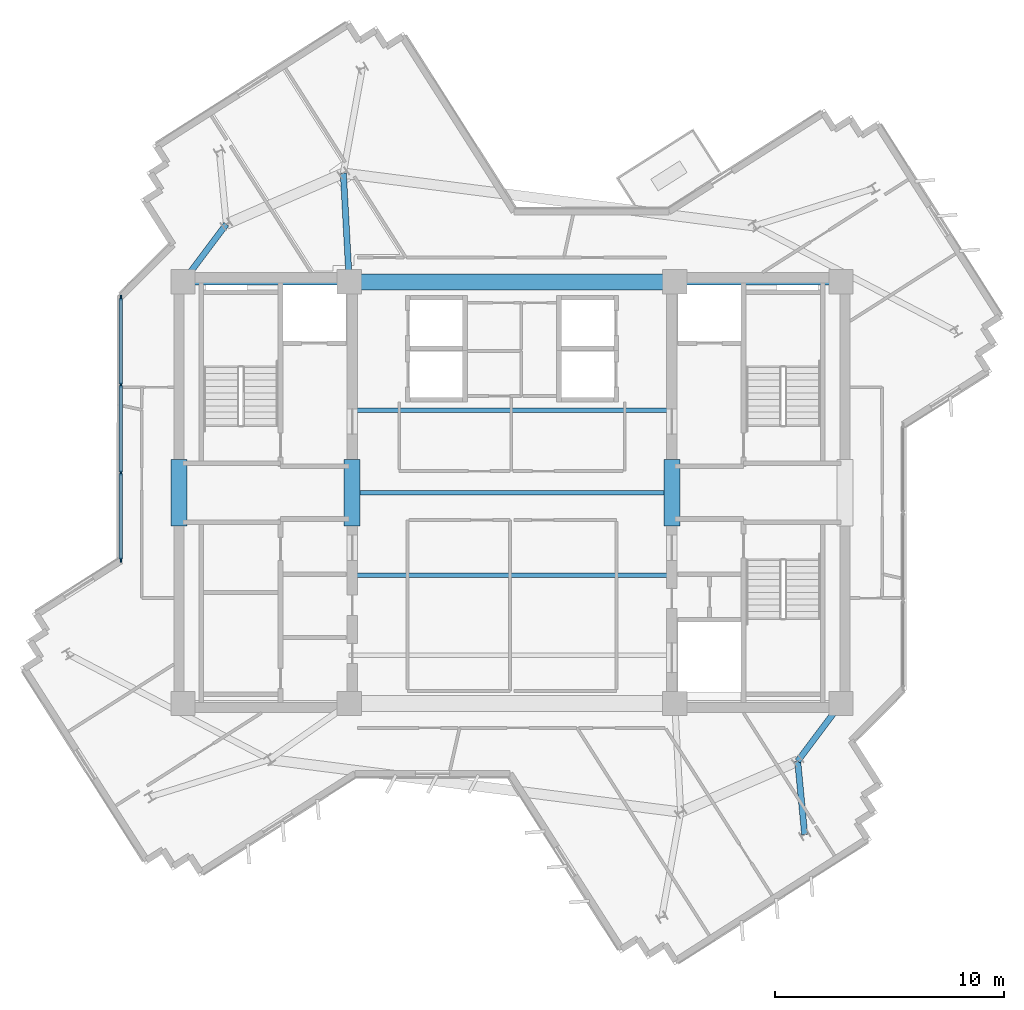
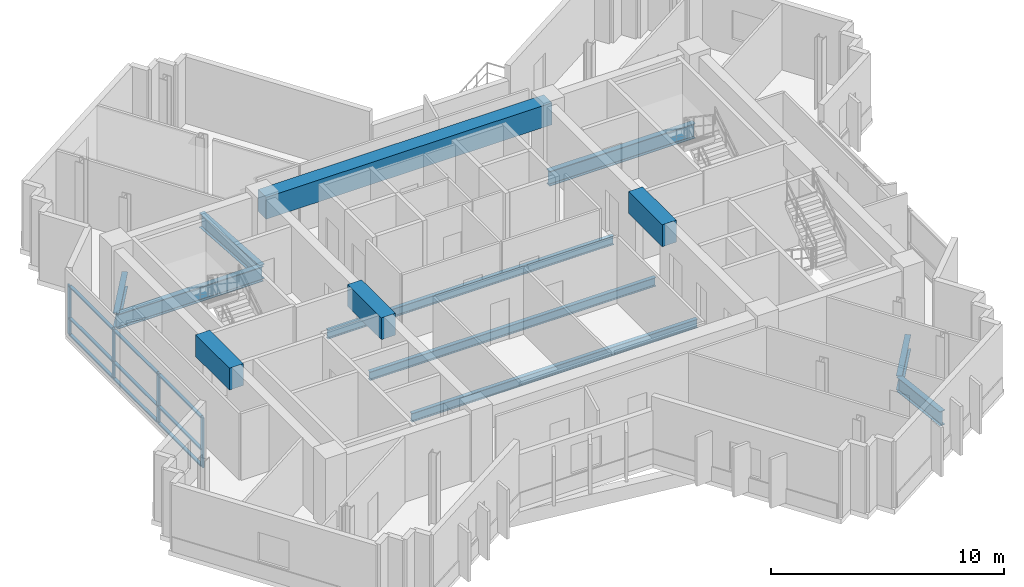
# One storey, part 2 of 12: 13 beams, 13 members, 1 element without a shape of its own.
"""IFC4 building model written with IfcOpenShell, lengths in metres."""

from ifc_helpers import new_model, si_unit, direction, frame, origin, origin_2d, place, context, subcontext, project, spatial, rectangle, i_section, extrude, source, transform, mapped, material, layer, layer_set, material_profile, profile_set, type_object, element, aggregate, save


model = new_model("IFC4")

# Units and contexts
model_context = context("Model", 3, precision=1e-05, world=origin(), true_north=direction((0.0, 1.0)))
body_context = subcontext(model_context, "Body", "Model", "MODEL_VIEW")
ifc_project = project(units=[si_unit("LENGTHUNIT", "METRE"), si_unit("AREAUNIT", "SQUARE_METRE"), si_unit("VOLUMEUNIT", "CUBIC_METRE"), si_unit("PLANEANGLEUNIT", "RADIAN"), si_unit("MASSUNIT", "GRAM", prefix="KILO")], contexts=[model_context])

# Site, building, storey
site_placement = place(None, origin())
site = spatial("IfcSite", under=ifc_project, at=site_placement, CompositionType="ELEMENT")
building_placement = place(site_placement, origin())
building = spatial("IfcBuilding", under=site, at=building_placement, Name="Zahravan Cultural Tower", CompositionType="ELEMENT")
storey_placement = place(building_placement, frame((0.0, 0.0, 265.35009765625)))
storey = spatial("IfcBuildingStorey", under=building, at=storey_placement, Name="L63", CompositionType="ELEMENT", Elevation=265.35009765625)

# Beams
ifc_material_1 = material(Name="Concrete C50/60", Category="concrete")
ifc_material_profile_1 = material_profile(ifc_material_1, rectangle(XDim=0.699951171875, YDim=1.14990234375, at=origin_2d()), Name="RC700X1150")
ifc_profile_set_1 = profile_set([ifc_material_profile_1], Name="Concrete C50/60")
beam_type_1 = type_object("IfcBeamType", Name="BM-LN-RC700X1150", PredefinedType="LINTEL", material=ifc_profile_set_1)
shared_shape_1 = source(origin(), body_context, "Body", "SweptSolid", [
    extrude(rectangle(XDim=0.699951171875, YDim=1.14990234375, at=origin_2d()), origin(), (0.0, 0.0, 1.0), 14.2001953125),
])
beam_1_placement = place(storey_placement, frame((28.89990234375, 36.199951171875, 2.9248046875), z_axis=(1.0, 0.0, 0.0), x_axis=(0.0, 1.0, 0.0)))
element("IfcBeam", 1, at=beam_1_placement, inside=storey, type_object=beam_type_1, Name="L63 Beam LN-L63-N", PredefinedType="LINTEL", context=body_context, shape_type="MappedRepresentation", body=[
    mapped(shared_shape_1, transform((0.0, 0.0, 0.0), x_axis=(1.0, 0.0, 0.0), y_axis=(0.0, 1.0, 0.0), z_axis=(0.0, 0.0, 1.0), scale=1.0)),
])
shared_shape_2 = source(origin(), body_context, "Body", "SweptSolid", [
    extrude(rectangle(XDim=0.699951171875, YDim=1.14990234375, at=origin_2d()), origin(), (0.0, 0.0, 1.0), 2.89990234375),
])
for number, where, z_axis, x_axis, name in (
    (2, (21.47509765625, 25.550048828125, 2.9248046875), (0.0, 1.0, 0.0), (-1.0, 0.0, 0.0), "L63 Beam LN-L63-PWW"),
    (3, (29.02490234375, 25.550048828125, 2.9248046875), (0.0, 1.0, 0.0), (-1.0, 0.0, 0.0), "L63 Beam LN-L63-PWE"),
    (4, (42.97509765625, 25.550048828125, 2.9248046875), (0.0, 1.0, 0.0), (-1.0, 0.0, 0.0), "L63 Beam LN-L63-PEW"),
):
    element("IfcBeam", number, at=place(storey_placement, frame(where, z_axis=z_axis, x_axis=x_axis)), inside=storey, type_object=beam_type_1, Name=name, PredefinedType="LINTEL", context=body_context, shape_type="MappedRepresentation", body=[
        mapped(shared_shape_2, transform((0.0, 0.0, 0.0), x_axis=(1.0, 0.0, 0.0), y_axis=(0.0, 1.0, 0.0), z_axis=(0.0, 0.0, 1.0), scale=1.0)),
    ])
ifc_material_2 = material(Name="Steel ASTM A992 Grade 50", Category="steel")
ifc_material_profile_2 = material_profile(ifc_material_2, i_section(OverallWidth=0.26611328125, OverallDepth=0.780029296875, WebThickness=0.0166015625, FlangeThickness=0.030029296875, FilletRadius=0.01904296875, at=origin_2d()), Name="W30X148")
ifc_profile_set_2 = profile_set([ifc_material_profile_2], Name="Steel ASTM A992 Grade 50")
beam_type_2 = type_object("IfcBeamType", Name="BM-G-W30X148", PredefinedType="BEAM", material=ifc_profile_set_2)
shared_shape_3 = source(origin(), body_context, "Body", "SweptSolid", [
    extrude(i_section(OverallWidth=0.26611328125, OverallDepth=0.780029296875, WebThickness=0.0166015625, FlangeThickness=0.030029296875, FilletRadius=0.01904296875, at=origin_2d()), origin(), (0.0, 0.0, 1.0), 7.25),
])
for number, where, z_axis, x_axis, name in (
    (5, (21.64990234375, 36.199951171875, -0.64013671875), (1.0, 0.0, 0.0), (0.0, 1.0, 0.0), "L63 Beam BG-L63-02"),
    (6, (43.10009765625, 36.199951171875, -0.64013671875), (1.0, 0.0, 0.0), (0.0, 1.0, 0.0), "L63 Beam BG-L63-05"),
):
    element("IfcBeam", number, at=place(storey_placement, frame(where, z_axis=z_axis, x_axis=x_axis)), inside=storey, type_object=beam_type_2, Name=name, PredefinedType="BEAM", context=body_context, shape_type="MappedRepresentation", body=[
        mapped(shared_shape_3, transform((0.0, 0.0, 0.0), x_axis=(1.0, 0.0, 0.0), y_axis=(0.0, 1.0, 0.0), z_axis=(0.0, 0.0, 1.0), scale=1.0)),
    ])
ifc_material_profile_3 = material_profile(ifc_material_2, i_section(OverallWidth=0.26708984375, OverallDepth=0.761962890625, WebThickness=0.014404296875, FlangeThickness=0.021484375, FilletRadius=0.01904296875, at=origin_2d()), Name="W30X116")
ifc_profile_set_3 = profile_set([ifc_material_profile_3], Name="Steel ASTM A992 Grade 50")
beam_type_3 = type_object("IfcBeamType", Name="BM-G-W30X116", PredefinedType="BEAM", material=ifc_profile_set_3)
shared_shape_4 = source(origin(), body_context, "Body", "SweptSolid", [
    extrude(i_section(OverallWidth=0.26708984375, OverallDepth=0.761962890625, WebThickness=0.014404296875, FlangeThickness=0.021484375, FilletRadius=0.01904296875, at=origin_2d()), origin(), (0.0, 0.0, 1.0), 4.744384765625),
])
beam_2_placement = place(storey_placement, frame((28.89990234375, 36.199951171875, -0.631103515625), z_axis=(-0.054238739845, 0.998527996152, 0.0), x_axis=(-0.998527996152, -0.054238739845, 0.0)))
element("IfcBeam", 7, at=beam_2_placement, inside=storey, type_object=beam_type_3, Name="L63 Beam BG-L63-10", PredefinedType="BEAM", context=body_context, shape_type="MappedRepresentation", body=[
    mapped(shared_shape_4, transform((0.0, 0.0, 0.0), x_axis=(1.0, 0.0, 0.0), y_axis=(0.0, 1.0, 0.0), z_axis=(0.0, 0.0, 1.0), scale=1.0)),
])
shared_shape_5 = source(origin(), body_context, "Body", "SweptSolid", [
    extrude(i_section(OverallWidth=0.26708984375, OverallDepth=0.761962890625, WebThickness=0.014404296875, FlangeThickness=0.021484375, FilletRadius=0.01904296875, at=origin_2d()), origin(), (0.0, 0.0, 1.0), 3.140380859375),
])
for number, where, z_axis, x_axis, name in (
    (8, (50.35009765625, 17.800048828125, -0.631103515625), (-0.600696322208, -0.799477284534, 0.0), (0.799477284534, -0.600696322208, 0.0), "L63 Beam BG-L63-09"),
    (9, (21.64990234375, 36.199951171875, -0.631103515625), (0.600696322208, 0.799477284534, 0.0), (-0.799477284534, 0.600696322208, 0.0), "L63 Beam BG-L63-11"),
):
    element("IfcBeam", number, at=place(storey_placement, frame(where, z_axis=z_axis, x_axis=x_axis)), inside=storey, type_object=beam_type_3, Name=name, PredefinedType="BEAM", context=body_context, shape_type="MappedRepresentation", body=[
        mapped(shared_shape_5, transform((0.0, 0.0, 0.0), x_axis=(1.0, 0.0, 0.0), y_axis=(0.0, 1.0, 0.0), z_axis=(0.0, 0.0, 1.0), scale=1.0)),
    ])
shared_shape_6 = source(origin(), body_context, "Body", "SweptSolid", [
    extrude(i_section(OverallWidth=0.26708984375, OverallDepth=0.761962890625, WebThickness=0.014404296875, FlangeThickness=0.021484375, FilletRadius=0.01904296875, at=origin_2d()), origin(), (0.0, 0.0, 1.0), 3.218017578125),
])
beam_3_placement = place(storey_placement, frame((48.463623046875, 15.289306640625, -0.631103515625), z_axis=(0.094454641962, -0.995529166128, 0.0), x_axis=(0.995529166128, 0.094454641962, 0.0)))
element("IfcBeam", 10, at=beam_3_placement, inside=storey, type_object=beam_type_3, Name="L63 Beam BG-L63-19", PredefinedType="BEAM", context=body_context, shape_type="MappedRepresentation", body=[
    mapped(shared_shape_6, transform((0.0, 0.0, 0.0), x_axis=(1.0, 0.0, 0.0), y_axis=(0.0, 1.0, 0.0), z_axis=(0.0, 0.0, 1.0), scale=1.0)),
])
ifc_material_profile_4 = material_profile(ifc_material_2, i_section(OverallWidth=0.18994140625, OverallDepth=0.45703125, WebThickness=0.009033203125, FlangeThickness=0.014404296875, FilletRadius=0.012939453125, at=origin_2d()), Name="W18X50")
ifc_profile_set_4 = profile_set([ifc_material_profile_4], Name="Steel ASTM A992 Grade 50")
beam_type_4 = type_object("IfcBeamType", Name="BM-J-W18X50", PredefinedType="JOIST", material=ifc_profile_set_4)
shared_shape_7 = source(origin(), body_context, "Body", "SweptSolid", [
    extrude(i_section(OverallWidth=0.18994140625, OverallDepth=0.45703125, WebThickness=0.009033203125, FlangeThickness=0.014404296875, FilletRadius=0.012939453125, at=origin_2d()), origin(), (0.0, 0.0, 1.0), 14.2001953125),
])
for number, where, z_axis, x_axis, name in (
    (11, (28.89990234375, 23.39990234375, -0.478515625), (1.0, 0.0, 0.0), (0.0, 1.0, 0.0), "L63 Beam BJ-L63-25"),
    (12, (28.89990234375, 27.0, -0.478515625), (1.0, 0.0, 0.0), (0.0, 1.0, 0.0), "L63 Beam BJ-L63-26"),
    (13, (28.89990234375, 30.60009765625, -0.478515625), (1.0, 0.0, 0.0), (0.0, 1.0, 0.0), "L63 Beam BJ-L63-27"),
):
    element("IfcBeam", number, at=place(storey_placement, frame(where, z_axis=z_axis, x_axis=x_axis)), inside=storey, type_object=beam_type_4, Name=name, PredefinedType="JOIST", context=body_context, shape_type="MappedRepresentation", body=[
        mapped(shared_shape_7, transform((0.0, 0.0, 0.0), x_axis=(1.0, 0.0, 0.0), y_axis=(0.0, 1.0, 0.0), z_axis=(0.0, 0.0, 1.0), scale=1.0)),
    ])

# Curtain wall, members
ifc_material_3 = material(Name="Anodised bronze-aluminium mullion", Category="aluminium")
ifc_layer = layer(ifc_material_3, 0.199951171875)
ifc_layer_set = layer_set([ifc_layer], Name="Anodised bronze-aluminium mullion")
curtain_wall_type = type_object("IfcCurtainWallType", Name="CW-SYS-2", PredefinedType="USERDEFINED", material=ifc_layer_set)
curtain_wall_placement = place(storey_placement, origin())
curtain_wall = element("IfcCurtainWall", 14, at=curtain_wall_placement, inside=storey, type_object=curtain_wall_type, Name="L63 Recessed Curtain Wall CW-2.2", ObjectType="RECESSED GLAZING", PredefinedType="USERDEFINED")
ifc_material_profile_5 = material_profile(ifc_material_3, rectangle(XDim=0.074951171875, YDim=0.199951171875, at=origin_2d()), Name="AL-M75X200")
ifc_profile_set_5 = profile_set([ifc_material_profile_5], Name="Anodised bronze-aluminium mullion")
member_type_1 = type_object("IfcMemberType", Name="CWM-CW-2", PredefinedType="MULLION", material=ifc_profile_set_5)
shared_shape_8 = source(origin(), body_context, "Body", "SweptSolid", [
    extrude(rectangle(XDim=0.074951171875, YDim=0.199951171875, at=origin_2d()), origin(), (0.0, 0.0, 1.0), 2.619873046875),
])
member_1_placement = place(storey_placement, frame((18.93994140625, 24.06591796875, 0.0), z_axis=(0.0, 0.0, 1.0), x_axis=(-1.0, 0.0, 0.0)))
member_1 = element("IfcMember", 15, at=member_1_placement, type_object=member_type_1, Name="CW-2 mullion 1", PredefinedType="MULLION", context=body_context, shape_type="MappedRepresentation", body=[
    mapped(shared_shape_8, transform((0.0, 0.0, 0.0), x_axis=(1.0, 0.0, 0.0), y_axis=(0.0, 1.0, 0.0), z_axis=(0.0, 0.0, 1.0), scale=1.0)),
])
member_2_placement = place(storey_placement, frame((18.93994140625, 27.8662109375, 0.0), z_axis=(0.0, 0.0, 1.0), x_axis=(-1.0, 0.0, 0.0)))
member_2 = element("IfcMember", 16, at=member_2_placement, type_object=member_type_1, Name="CW-2 mullion 2", PredefinedType="MULLION", context=body_context, shape_type="MappedRepresentation", body=[
    mapped(shared_shape_8, transform((0.0, 0.0, 0.0), x_axis=(1.0, 0.0, 0.0), y_axis=(0.0, 1.0, 0.0), z_axis=(0.0, 0.0, 1.0), scale=1.0)),
])
member_3_placement = place(storey_placement, frame((18.93994140625, 31.7041015625, 0.0), z_axis=(0.0, 0.0, 1.0), x_axis=(-1.0, 0.0, 0.0)))
member_3 = element("IfcMember", 17, at=member_3_placement, type_object=member_type_1, Name="CW-2 mullion 3", PredefinedType="MULLION", context=body_context, shape_type="MappedRepresentation", body=[
    mapped(shared_shape_8, transform((0.0, 0.0, 0.0), x_axis=(1.0, 0.0, 0.0), y_axis=(0.0, 1.0, 0.0), z_axis=(0.0, 0.0, 1.0), scale=1.0)),
])
member_4_placement = place(storey_placement, frame((18.93994140625, 35.50439453125, 0.0), z_axis=(0.0, 0.0, 1.0), x_axis=(-1.0, 0.0, 0.0)))
member_4 = element("IfcMember", 18, at=member_4_placement, type_object=member_type_1, Name="CW-2 mullion 4", PredefinedType="MULLION", context=body_context, shape_type="MappedRepresentation", body=[
    mapped(shared_shape_8, transform((0.0, 0.0, 0.0), x_axis=(1.0, 0.0, 0.0), y_axis=(0.0, 1.0, 0.0), z_axis=(0.0, 0.0, 1.0), scale=1.0)),
])
ifc_material_profile_6 = material_profile(ifc_material_3, rectangle(XDim=0.14990234375, YDim=0.074951171875, at=origin_2d()), Name="AL-T75X150")
ifc_profile_set_6 = profile_set([ifc_material_profile_6], Name="Anodised bronze-aluminium mullion")
member_type_2 = type_object("IfcMemberType", Name="CWT-CW-2", PredefinedType="USERDEFINED", material=ifc_profile_set_6)
shared_shape_9 = source(origin(), body_context, "Body", "SweptSolid", [
    extrude(rectangle(XDim=0.14990234375, YDim=0.074951171875, at=origin_2d()), origin(), (0.0, 0.0, 1.0), 3.725341796875),
])
member_5_placement = place(storey_placement, frame((18.93994140625, 24.103271484375, 0.037353515625), z_axis=(0.0, 1.0, 0.0), x_axis=(-1.0, 0.0, 0.0)))
member_5 = element("IfcMember", 19, at=member_5_placement, type_object=member_type_2, Name="CW-2 transom 1.1", ObjectType="TRANSOM", PredefinedType="USERDEFINED", context=body_context, shape_type="MappedRepresentation", body=[
    mapped(shared_shape_9, transform((0.0, 0.0, 0.0), x_axis=(1.0, 0.0, 0.0), y_axis=(0.0, 1.0, 0.0), z_axis=(0.0, 0.0, 1.0), scale=1.0)),
])
member_6_placement = place(storey_placement, frame((18.93994140625, 24.103271484375, 0.89990234375), z_axis=(0.0, 1.0, 0.0), x_axis=(-1.0, 0.0, 0.0)))
member_6 = element("IfcMember", 20, at=member_6_placement, type_object=member_type_2, Name="CW-2 transom 1.2", ObjectType="TRANSOM", PredefinedType="USERDEFINED", context=body_context, shape_type="MappedRepresentation", body=[
    mapped(shared_shape_9, transform((0.0, 0.0, 0.0), x_axis=(1.0, 0.0, 0.0), y_axis=(0.0, 1.0, 0.0), z_axis=(0.0, 0.0, 1.0), scale=1.0)),
])
member_7_placement = place(storey_placement, frame((18.93994140625, 24.103271484375, 2.58251953125), z_axis=(0.0, 1.0, 0.0), x_axis=(-1.0, 0.0, 0.0)))
member_7 = element("IfcMember", 21, at=member_7_placement, type_object=member_type_2, Name="CW-2 transom 1.3", ObjectType="TRANSOM", PredefinedType="USERDEFINED", context=body_context, shape_type="MappedRepresentation", body=[
    mapped(shared_shape_9, transform((0.0, 0.0, 0.0), x_axis=(1.0, 0.0, 0.0), y_axis=(0.0, 1.0, 0.0), z_axis=(0.0, 0.0, 1.0), scale=1.0)),
])
member_8_placement = place(storey_placement, frame((18.93994140625, 31.74169921875, 0.037353515625), z_axis=(0.0, 1.0, 0.0), x_axis=(-1.0, 0.0, 0.0)))
member_8 = element("IfcMember", 22, at=member_8_placement, type_object=member_type_2, Name="CW-2 transom 3.1", ObjectType="TRANSOM", PredefinedType="USERDEFINED", context=body_context, shape_type="MappedRepresentation", body=[
    mapped(shared_shape_9, transform((0.0, 0.0, 0.0), x_axis=(1.0, 0.0, 0.0), y_axis=(0.0, 1.0, 0.0), z_axis=(0.0, 0.0, 1.0), scale=1.0)),
])
member_9_placement = place(storey_placement, frame((18.93994140625, 31.74169921875, 0.89990234375), z_axis=(0.0, 1.0, 0.0), x_axis=(-1.0, 0.0, 0.0)))
member_9 = element("IfcMember", 23, at=member_9_placement, type_object=member_type_2, Name="CW-2 transom 3.2", ObjectType="TRANSOM", PredefinedType="USERDEFINED", context=body_context, shape_type="MappedRepresentation", body=[
    mapped(shared_shape_9, transform((0.0, 0.0, 0.0), x_axis=(1.0, 0.0, 0.0), y_axis=(0.0, 1.0, 0.0), z_axis=(0.0, 0.0, 1.0), scale=1.0)),
])
member_10_placement = place(storey_placement, frame((18.93994140625, 31.74169921875, 2.58251953125), z_axis=(0.0, 1.0, 0.0), x_axis=(-1.0, 0.0, 0.0)))
member_10 = element("IfcMember", 24, at=member_10_placement, type_object=member_type_2, Name="CW-2 transom 3.3", ObjectType="TRANSOM", PredefinedType="USERDEFINED", context=body_context, shape_type="MappedRepresentation", body=[
    mapped(shared_shape_9, transform((0.0, 0.0, 0.0), x_axis=(1.0, 0.0, 0.0), y_axis=(0.0, 1.0, 0.0), z_axis=(0.0, 0.0, 1.0), scale=1.0)),
])
shared_shape_10 = source(origin(), body_context, "Body", "SweptSolid", [
    extrude(rectangle(XDim=0.14990234375, YDim=0.074951171875, at=origin_2d()), origin(), (0.0, 0.0, 1.0), 3.7626953125),
])
member_11_placement = place(storey_placement, frame((18.93994140625, 27.90380859375, 0.037353515625), z_axis=(0.0, 1.0, 0.0), x_axis=(-1.0, 0.0, 0.0)))
member_11 = element("IfcMember", 25, at=member_11_placement, type_object=member_type_2, Name="CW-2 transom 2.1", ObjectType="TRANSOM", PredefinedType="USERDEFINED", context=body_context, shape_type="MappedRepresentation", body=[
    mapped(shared_shape_10, transform((0.0, 0.0, 0.0), x_axis=(1.0, 0.0, 0.0), y_axis=(0.0, 1.0, 0.0), z_axis=(0.0, 0.0, 1.0), scale=1.0)),
])
member_12_placement = place(storey_placement, frame((18.93994140625, 27.90380859375, 0.89990234375), z_axis=(0.0, 1.0, 0.0), x_axis=(-1.0, 0.0, 0.0)))
member_12 = element("IfcMember", 26, at=member_12_placement, type_object=member_type_2, Name="CW-2 transom 2.2", ObjectType="TRANSOM", PredefinedType="USERDEFINED", context=body_context, shape_type="MappedRepresentation", body=[
    mapped(shared_shape_10, transform((0.0, 0.0, 0.0), x_axis=(1.0, 0.0, 0.0), y_axis=(0.0, 1.0, 0.0), z_axis=(0.0, 0.0, 1.0), scale=1.0)),
])
member_13_placement = place(storey_placement, frame((18.93994140625, 27.90380859375, 2.58251953125), z_axis=(0.0, 1.0, 0.0), x_axis=(-1.0, 0.0, 0.0)))
member_13 = element("IfcMember", 27, at=member_13_placement, type_object=member_type_2, Name="CW-2 transom 2.3", ObjectType="TRANSOM", PredefinedType="USERDEFINED", context=body_context, shape_type="MappedRepresentation", body=[
    mapped(shared_shape_10, transform((0.0, 0.0, 0.0), x_axis=(1.0, 0.0, 0.0), y_axis=(0.0, 1.0, 0.0), z_axis=(0.0, 0.0, 1.0), scale=1.0)),
])
aggregate(curtain_wall, [member_1, member_2, member_3, member_4, member_5, member_6, member_7, member_11, member_12, member_13, member_8, member_9, member_10])

save(model, "model.ifc")
